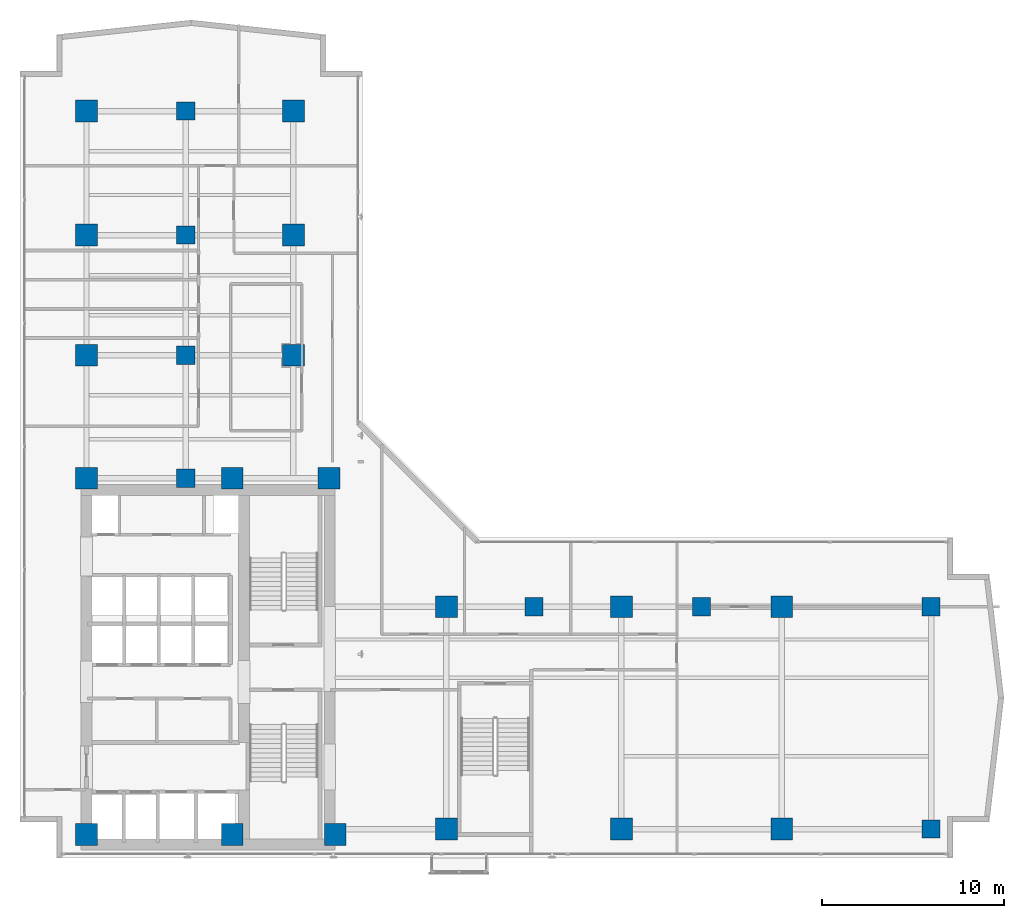
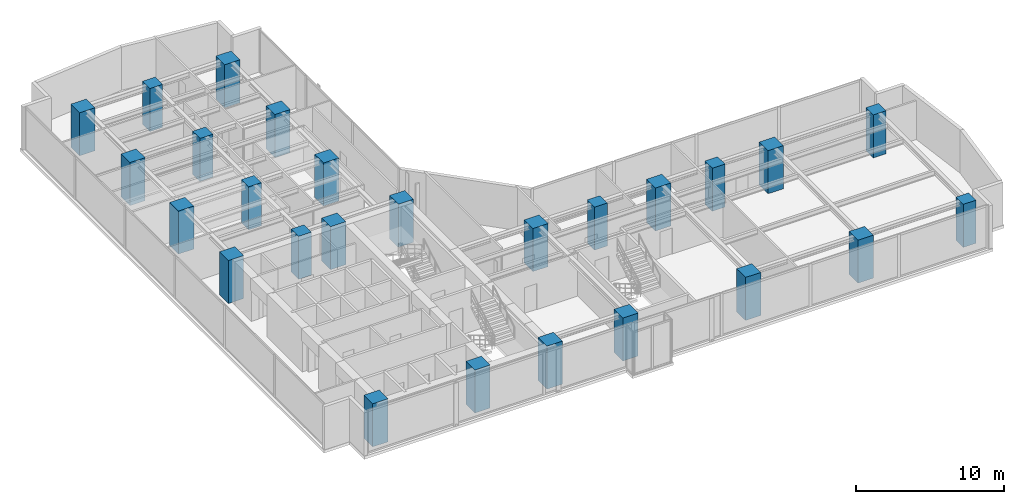
# One storey, part 1 of 24: 26 columns.
"""IFC4 building model written with IfcOpenShell, lengths in metres."""

from ifc_helpers import new_model, si_unit, direction, frame, origin, origin_2d, place, context, subcontext, project, spatial, rectangle, extrude, material, material_profile, profile_set, type_object, element, save


model = new_model("IFC4")

# Units and contexts
model_context = context("Model", 3, precision=1e-05, world=origin(), true_north=direction((0.0, 1.0)))
body_context = subcontext(model_context, "Body", "Model", "MODEL_VIEW")
ifc_project = project(units=[si_unit("LENGTHUNIT", "METRE"), si_unit("AREAUNIT", "SQUARE_METRE"), si_unit("VOLUMEUNIT", "CUBIC_METRE"), si_unit("PLANEANGLEUNIT", "RADIAN"), si_unit("MASSUNIT", "GRAM", prefix="KILO")], contexts=[model_context])

# Site, building, storey
site_placement = place(None, origin())
site = spatial("IfcSite", under=ifc_project, at=site_placement, CompositionType="ELEMENT")
building_placement = place(site_placement, origin())
building = spatial("IfcBuilding", under=site, at=building_placement, Name="Kolvaren Waterfront Exchange", CompositionType="ELEMENT")
storey_placement = place(building_placement, frame((0.0, 0.0, 153.800048828125)))
storey = spatial("IfcBuildingStorey", under=building, at=storey_placement, Name="L39", CompositionType="ELEMENT", Elevation=153.800048828125)

# Columns
ifc_material = material(Name="Concrete C60/75", Category="concrete")
ifc_material_profile_1 = material_profile(ifc_material, rectangle(XDim=1.0, YDim=1.0, at=origin_2d()), Name="RC-COL-1000x1000")
ifc_profile_set_1 = profile_set([ifc_material_profile_1], Name="Concrete C60/75")
column_type_1 = type_object("IfcColumnType", Name="STR-COL-1000-C60", PredefinedType="COLUMN", material=ifc_profile_set_1)
for number, where, z_axis, x_axis, name in (
    (1, (53.800048828125, 5.199951171875, 0.0), (0.0, 0.0, 1.0), (1.0, 0.0, 0.0), "L39 column ZC01"),
    (2, (53.800048828125, 17.39990234375, 0.0), (0.0, 0.0, 1.0), (1.0, 0.0, 0.0), "L39 column ZC02"),
    (3, (12.89990234375, 24.449951171875, 0.0), (0.0, 0.0, 1.0), (1.0, 0.0, 0.0), "L39 column TC01"),
    (4, (12.89990234375, 31.199951171875, 0.0), (0.0, 0.0, 1.0), (1.0, 0.0, 0.0), "L39 column TC02"),
    (5, (12.89990234375, 37.800048828125, 0.0), (0.0, 0.0, 1.0), (1.0, 0.0, 0.0), "L39 column TC03"),
    (6, (12.89990234375, 44.60009765625, 0.0), (0.0, 0.0, 1.0), (1.0, 0.0, 0.0), "L39 column TC04"),
    (7, (32.0, 17.39990234375, 0.0), (0.0, 0.0, 1.0), (1.0, 0.0, 0.0), "L39 column TC05"),
    (8, (41.199951171875, 17.39990234375, 0.0), (0.0, 0.0, 1.0), (1.0, 0.0, 0.0), "L39 column TC06"),
):
    element("IfcColumn", number, at=place(storey_placement, frame(where, z_axis=z_axis, x_axis=x_axis)), inside=storey, type_object=column_type_1, Name=name, PredefinedType="COLUMN", context=body_context, shape_type="SweptSolid", body=[
        extrude(rectangle(XDim=1.0, YDim=1.0, at=origin_2d()), origin(), (0.0, 0.0, 1.0), 3.56005859375),
    ])
ifc_material_profile_2 = material_profile(ifc_material, rectangle(XDim=1.199951171875, YDim=1.199951171875, at=origin_2d()), Name="RC-COL-1200x1200")
ifc_profile_set_2 = profile_set([ifc_material_profile_2], Name="Concrete C60/75")
column_type_2 = type_object("IfcColumnType", Name="STR-COL-1200-C60", PredefinedType="COLUMN", material=ifc_profile_set_2)
for number, where, z_axis, x_axis, name in (
    (9, (7.449951171875, 4.89990234375, 0.0), (0.0, 0.0, 1.0), (1.0, 0.0, 0.0), "L39 column MC01"),
    (10, (15.449951171875, 4.89990234375, 0.0), (0.0, 0.0, 1.0), (1.0, 0.0, 0.0), "L39 column MC02"),
    (11, (21.10009765625, 4.89990234375, 0.0), (0.0, 0.0, 1.0), (1.0, 0.0, 0.0), "L39 column MC03"),
    (12, (7.449951171875, 24.449951171875, 0.0), (0.0, 0.0, 1.0), (1.0, 0.0, 0.0), "L39 column MC04"),
    (13, (15.449951171875, 24.449951171875, 0.0), (0.0, 0.0, 1.0), (1.0, 0.0, 0.0), "L39 column MC05"),
    (14, (20.75, 24.449951171875, 0.0), (0.0, 0.0, 1.0), (1.0, 0.0, 0.0), "L39 column MC06"),
    (15, (7.449951171875, 31.199951171875, 0.0), (0.0, 0.0, 1.0), (1.0, 0.0, 0.0), "L39 column NC01"),
    (16, (7.449951171875, 37.800048828125, 0.0), (0.0, 0.0, 1.0), (1.0, 0.0, 0.0), "L39 column NC02"),
    (17, (7.449951171875, 44.60009765625, 0.0), (0.0, 0.0, 1.0), (1.0, 0.0, 0.0), "L39 column NC03"),
    (18, (18.800048828125, 31.199951171875, 0.0), (0.0, 0.0, 1.0), (1.0, 0.0, 0.0), "L39 column NC04"),
    (19, (18.800048828125, 37.800048828125, 0.0), (0.0, 0.0, 1.0), (1.0, 0.0, 0.0), "L39 column NC05"),
    (20, (18.800048828125, 44.60009765625, 0.0), (0.0, 0.0, 1.0), (1.0, 0.0, 0.0), "L39 column NC06"),
    (21, (27.199951171875, 5.199951171875, 0.0), (0.0, 0.0, 1.0), (1.0, 0.0, 0.0), "L39 column EC01"),
    (22, (36.800048828125, 5.199951171875, 0.0), (0.0, 0.0, 1.0), (1.0, 0.0, 0.0), "L39 column EC02"),
    (23, (45.60009765625, 5.199951171875, 0.0), (0.0, 0.0, 1.0), (1.0, 0.0, 0.0), "L39 column EC03"),
    (24, (27.199951171875, 17.39990234375, 0.0), (0.0, 0.0, 1.0), (1.0, 0.0, 0.0), "L39 column EC04"),
    (25, (36.800048828125, 17.39990234375, 0.0), (0.0, 0.0, 1.0), (1.0, 0.0, 0.0), "L39 column EC05"),
    (26, (45.60009765625, 17.39990234375, 0.0), (0.0, 0.0, 1.0), (1.0, 0.0, 0.0), "L39 column EC06"),
):
    element("IfcColumn", number, at=place(storey_placement, frame(where, z_axis=z_axis, x_axis=x_axis)), inside=storey, type_object=column_type_2, Name=name, PredefinedType="COLUMN", context=body_context, shape_type="SweptSolid", body=[
        extrude(rectangle(XDim=1.199951171875, YDim=1.199951171875, at=origin_2d()), origin(), (0.0, 0.0, 1.0), 3.56005859375),
    ])

save(model, "model.ifc")
